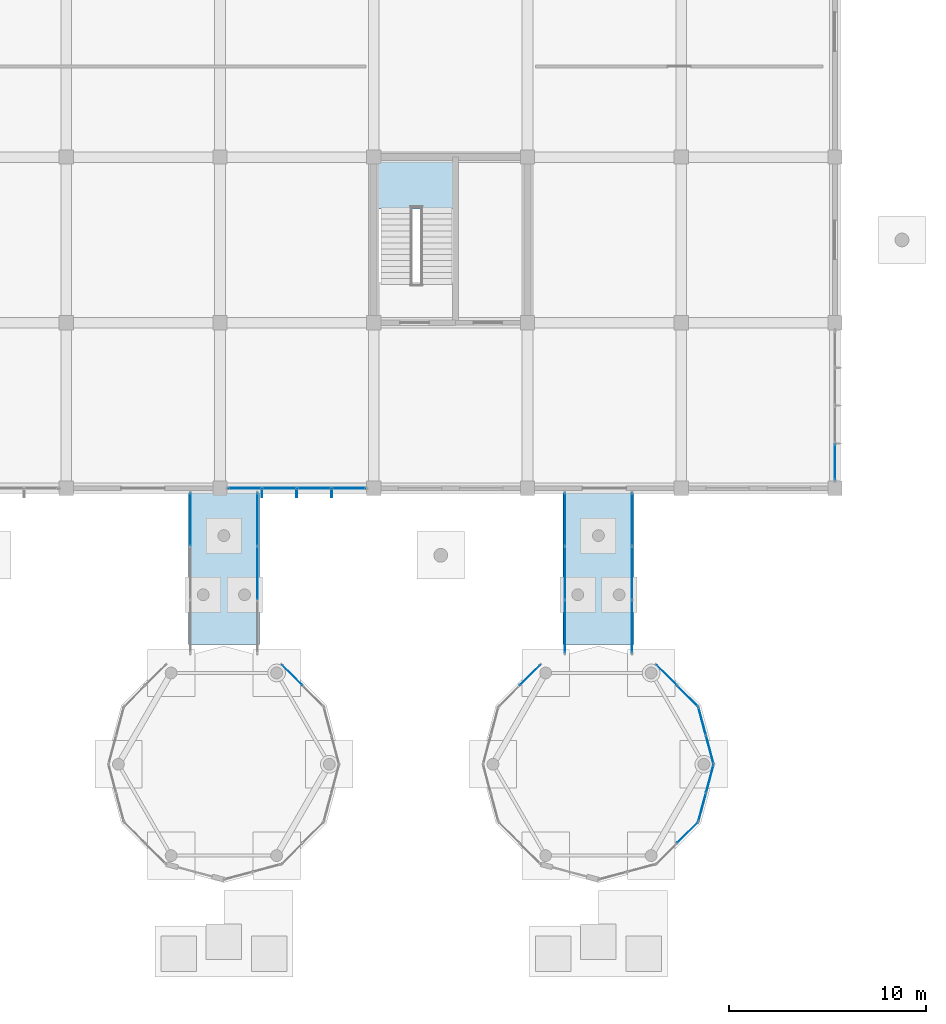
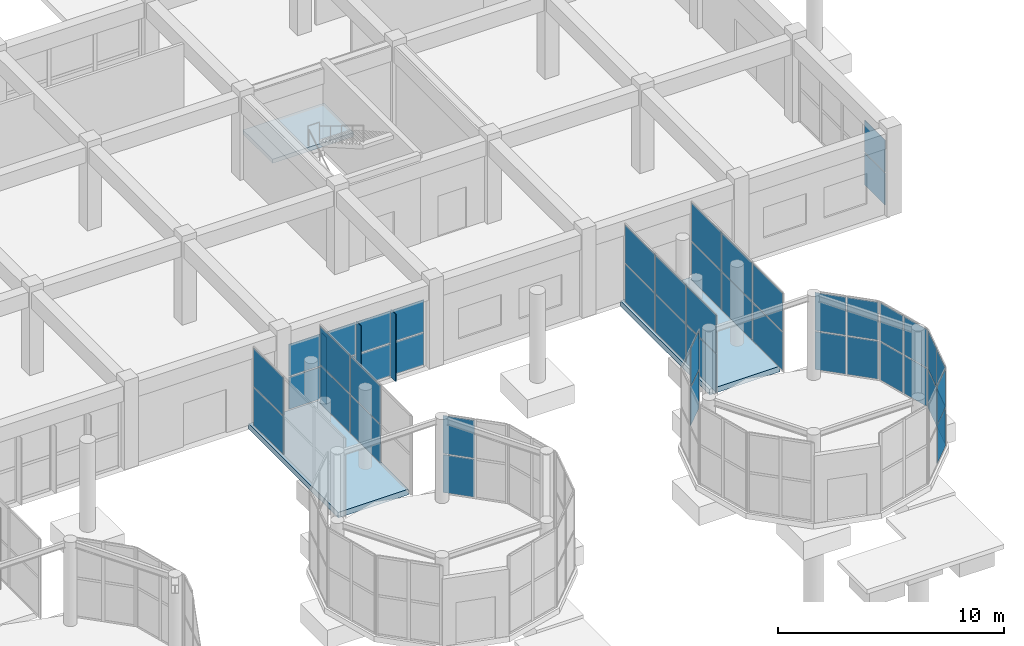
# One storey, part 113 of 139: 49 plates, 3 slabs, 13 elements without a shape of their own.
"""IFC4 building model written with IfcOpenShell, lengths in metres."""

import ifcopenshell
import ifcopenshell.guid

model = None  # the IFC model being written
_history = None  # IfcOwnerHistory: only IFC2X3 demands one
_inside = {}  # id of a spatial element -> (the spatial element, [elements in it])
_under = {}  # id of a project, library or spatial element -> (it, [spatial elements below it])
_declared = {}  # id of a project -> (the project, [libraries it declares])
_typed = {}  # id of a type object -> (the type object, [elements of that type])
_made_of = {}  # id of a material, layer set ... -> (it, [elements and type objects made of it])


def new_model(schema):
    """Start an empty IFC model of exactly this schema.

    Asked for "IFC4X3", IfcOpenShell would pick the latest addendum, in which some entities
    have other attributes; the version numbers below select the first issue.
    IFC2X3 requires an IfcOwnerHistory on every rooted entity: one is made here for all.
    """
    global model, _history
    if schema == "IFC4X3":
        model = ifcopenshell.file(schema_version=(4, 3, 0, 0))
    else:
        model = ifcopenshell.file(schema=schema)
    _inside.clear()
    _under.clear()
    _declared.clear()
    _typed.clear()
    _made_of.clear()
    _history = None
    if model.schema == "IFC2X3":
        org = make("IfcOrganization", Name="unknown")
        user = make(
            "IfcPersonAndOrganization",
            ThePerson=make("IfcPerson", FamilyName="unknown"),
            TheOrganization=org,
        )
        app = make(
            "IfcApplication",
            ApplicationDeveloper=org,
            Version="unknown",
            ApplicationFullName="unknown",
            ApplicationIdentifier="unknown",
        )
        _history = make(
            "IfcOwnerHistory",
            OwningUser=user,
            OwningApplication=app,
            ChangeAction="ADDED",
            CreationDate=0,
        )
    return model


def make(cls, **values):
    """One entity of the class cls with the attributes given. An attribute that is None is left unset."""
    return model.create_entity(
        cls, **{name: value for name, value in values.items() if value is not None}
    )


def rooted(cls, **values):
    """An entity with a GlobalId (a new one), such as an element, a storey or a relation."""
    return make(cls, GlobalId=ifcopenshell.guid.new(), OwnerHistory=_history, **values)


def si_unit(unit_type, name, prefix=None):
    """IfcSIUnit, for example si_unit("LENGTHUNIT", "METRE", prefix="MILLI")."""
    return make("IfcSIUnit", UnitType=unit_type, Prefix=prefix, Name=name)


def assignment(units):
    """IfcUnitAssignment: the units of a project."""
    return None if units is None else make("IfcUnitAssignment", Units=units)


def point(xyz):
    """IfcCartesianPoint."""
    return None if xyz is None else make("IfcCartesianPoint", Coordinates=xyz)


def direction(xyz):
    """IfcDirection."""
    return None if xyz is None else make("IfcDirection", DirectionRatios=xyz)


def frame(location, z_axis=None, x_axis=None):
    """IfcAxis2Placement3D, a coordinate frame: its origin and axes. An axis left out is left unset."""
    return make(
        "IfcAxis2Placement3D",
        Location=point(location),
        Axis=direction(z_axis),
        RefDirection=direction(x_axis),
    )


def frame_2d(location, x_axis=None):
    """IfcAxis2Placement2D, a coordinate frame in the plane: its origin and x axis."""
    return make(
        "IfcAxis2Placement2D", Location=point(location), RefDirection=direction(x_axis)
    )


def origin():
    """The frame at (0, 0, 0) with its axes left unset."""
    return frame((0.0, 0.0, 0.0))


def origin_2d():
    """The frame at (0, 0) in the plane with its x axis left unset."""
    return frame_2d((0.0, 0.0))


def place(relative_to, where):
    """IfcLocalPlacement: puts the frame where relative to a parent placement (None: the world)."""
    return make(
        "IfcLocalPlacement", PlacementRelTo=relative_to, RelativePlacement=where
    )


def context(
    kind, dimensions, precision=None, world=None, true_north=None, identifier=None
):
    """IfcGeometricRepresentationContext, for example the 3D "Model" context."""
    return make(
        "IfcGeometricRepresentationContext",
        ContextIdentifier=identifier,
        ContextType=kind,
        CoordinateSpaceDimension=dimensions,
        Precision=precision,
        WorldCoordinateSystem=world,
        TrueNorth=true_north,
    )


def subcontext(parent, identifier, kind, view, scale=None):
    """IfcGeometricRepresentationSubContext, for example "Body" below "Model"."""
    return make(
        "IfcGeometricRepresentationSubContext",
        ContextIdentifier=identifier,
        ContextType=kind,
        ParentContext=parent,
        TargetScale=scale,
        TargetView=view,
    )


def project(units=None, contexts=None):
    """IfcProject with its units and contexts."""
    return rooted(
        "IfcProject",
        Name="project",
        RepresentationContexts=contexts,
        UnitsInContext=assignment(units),
    )


def spatial(cls, under=None, at=None, **own):
    """A site, building, storey or space (cls), placed at a placement, below another one or the project."""
    s = rooted(cls, ObjectPlacement=at, **own)
    if under is not None:
        _under.setdefault(under.id(), (under, []))[1].append(s)
    return s


def polyline(points):
    """IfcPolyline through the points."""
    return make("IfcPolyline", Points=[point(p) for p in points])


def profile(cls, at=None, kind="AREA", **sizes):
    """A parametric profile (cls). Its sizes go by their IFC names, for example OverallWidth=200.0."""
    return make(cls, ProfileType=kind, Position=at, **sizes)


def rectangle(**sizes):
    """IfcRectangleProfileDef."""
    return profile("IfcRectangleProfileDef", **sizes)


def outline(outer, holes=None, kind="AREA"):
    """IfcArbitraryClosedProfileDef: a profile drawn as a closed curve; with holes, ...WithVoids."""
    if holes is None:
        return make("IfcArbitraryClosedProfileDef", ProfileType=kind, OuterCurve=outer)
    return make(
        "IfcArbitraryProfileDefWithVoids",
        ProfileType=kind,
        OuterCurve=outer,
        InnerCurves=holes,
    )


def extrude(swept, where, along, depth):
    """IfcExtrudedAreaSolid: the profile swept, set in the frame where, extruded along a direction by depth."""
    return make(
        "IfcExtrudedAreaSolid",
        SweptArea=swept,
        Position=where,
        ExtrudedDirection=direction(along),
        Depth=depth,
    )


def shape(context_of_items, identifier, shape_type, items):
    """IfcShapeRepresentation: the items that make up one representation, for example the "Body"."""
    return make(
        "IfcShapeRepresentation",
        ContextOfItems=context_of_items,
        RepresentationIdentifier=identifier,
        RepresentationType=shape_type,
        Items=items,
    )


def material(Name=None, Category=None):
    """IfcMaterial."""
    return make("IfcMaterial", Name=Name, Category=Category)


def layer(
    of_material, thickness, ventilated=None, Name=None, Category=None, Priority=None
):
    """IfcMaterialLayer: one layer of a wall or slab, of a material (None: an air gap)."""
    return make(
        "IfcMaterialLayer",
        Material=of_material,
        LayerThickness=thickness,
        IsVentilated=ventilated,
        Name=Name,
        Category=Category,
        Priority=Priority,
    )


def layer_set(layers, Name=None):
    """IfcMaterialLayerSet."""
    return make("IfcMaterialLayerSet", MaterialLayers=layers, LayerSetName=Name)


def made_of(thing, what):
    """Note that an element or type object is made of a material, layer set ...; save() writes the relation."""
    if what is not None:
        _made_of.setdefault(what.id(), (what, []))[1].append(thing)
    return thing


def type_object(cls, material=None, **own):
    """A type object (cls), such as IfcWallType, which elements share."""
    return made_of(rooted(cls, **own), material)


def element(
    cls,
    number,
    at=None,
    inside=None,
    cuts=None,
    type_object=None,
    material=None,
    context=None,
    identifier="Body",
    shape_type=None,
    held_by="IfcProductDefinitionShape",
    body=None,
    shapes=None,
    **own,
):
    """One element of the class cls, such as IfcWall. Its Tag is "e" and its number.

    at: its placement. inside: the storey or other place that contains it. cuts: it is an
    opening in that element (IfcRelVoidsElement). A single representation is given by context,
    identifier, shape_type and body (its items); several are given by shapes. held_by: the class
    of the entity that holds the representations. save() writes the other relations.
    """
    e = rooted(cls, Tag="e%d" % number, ObjectPlacement=at, **own)
    if body is not None:
        shapes = [shape(context, identifier, shape_type, body)]
    if shapes is not None:
        e.Representation = make(held_by, Representations=shapes)
    if inside is not None:
        _inside.setdefault(inside.id(), (inside, []))[1].append(e)
    if cuts is not None:
        rooted(
            "IfcRelVoidsElement", RelatingBuildingElement=cuts, RelatedOpeningElement=e
        )
    if type_object is not None:
        _typed.setdefault(type_object.id(), (type_object, []))[1].append(e)
    return made_of(e, material)


def aggregate(whole, parts):
    """IfcRelAggregates: a whole, such as a stair, and the parts it consists of."""
    return rooted("IfcRelAggregates", RelatingObject=whole, RelatedObjects=parts)


def save(model, path):
    """Write the relations noted so far, then the file.

    IfcRelAggregates (storeys below a building ...), IfcRelContainedInSpatialStructure (elements
    in a storey), IfcRelDefinesByType, IfcRelAssociatesMaterial and IfcRelDeclares: one each for
    every whole, place, type object, material and project.
    """
    for whole, parts in _under.values():
        aggregate(whole, parts)
    for where, things in _inside.values():
        rooted(
            "IfcRelContainedInSpatialStructure",
            RelatedElements=things,
            RelatingStructure=where,
        )
    for kind, things in _typed.values():
        rooted("IfcRelDefinesByType", RelatedObjects=things, RelatingType=kind)
    for what, things in _made_of.values():
        rooted("IfcRelAssociatesMaterial", RelatedObjects=things, RelatingMaterial=what)
    for by, libraries in _declared.values():
        rooted("IfcRelDeclares", RelatingContext=by, RelatedDefinitions=libraries)
    model.write(path)


model = new_model("IFC4")

# Units and contexts
model_context = context("Model", 3, precision=1e-05, world=origin(), true_north=direction((0.0, 1.0)))
body_context = subcontext(model_context, "Body", "Model", "MODEL_VIEW")
ifc_project = project(units=[si_unit("LENGTHUNIT", "METRE"), si_unit("AREAUNIT", "SQUARE_METRE"), si_unit("VOLUMEUNIT", "CUBIC_METRE"), si_unit("PLANEANGLEUNIT", "RADIAN"), si_unit("MASSUNIT", "GRAM", prefix="KILO")], contexts=[model_context])

# Site, building, storey
site_placement = place(None, origin())
site = spatial("IfcSite", under=ifc_project, at=site_placement, CompositionType="ELEMENT")
building_placement = place(site_placement, origin())
building = spatial("IfcBuilding", under=site, at=building_placement, Name="Zizhar Promenade General Hospital", CompositionType="ELEMENT")
storey_placement = place(building_placement, origin())
storey = spatial("IfcBuildingStorey", under=building, at=storey_placement, Name="L00", CompositionType="ELEMENT", Elevation=0.0)

# Curtain wall, plates
ifc_material_1 = material(Name="Anodised aluminium 6063-T6 and low-E glass", Category="aluminium")
ifc_layer_1 = layer(ifc_material_1, 0.159912109375)
ifc_layer_set_1 = layer_set([ifc_layer_1], Name="Anodised aluminium 6063-T6 and low-E glass")
curtain_wall_type_1 = type_object("IfcCurtainWallType", Name="CW-CLN-EXT", PredefinedType="NOTDEFINED", material=ifc_layer_set_1)
curtain_wall_1_placement = place(storey_placement, origin())
curtain_wall_1 = element("IfcCurtainWall", 1, at=curtain_wall_1_placement, inside=storey, type_object=curtain_wall_type_1, Name="Outpatient East Curtain Wall L00-5", PredefinedType="NOTDEFINED")
ifc_material_2 = material(Name="Low-E solar-control glass", Category="glass")
ifc_layer_2 = layer(ifc_material_2, 0.031982421875)
ifc_layer_set_2 = layer_set([ifc_layer_2], Name="Low-E solar-control glass")
plate_type_1 = type_object("IfcPlateType", Name="CWP-GLZ-32", PredefinedType="CURTAIN_PANEL", material=ifc_layer_set_2)
plate_1_placement = place(storey_placement, frame((195.0, 43.340087890625, 0.06005859375), z_axis=(0.0, 0.0, 1.0), x_axis=(0.0, -1.0, 0.0)))
plate_1 = element("IfcPlate", 2, at=plate_1_placement, type_object=plate_type_1, Name="CW-09 panel 4.1", PredefinedType="CURTAIN_PANEL", context=body_context, shape_type="SweptSolid", body=[
    extrude(rectangle(XDim=1.800048828125, YDim=0.031982421875, at=origin_2d()), origin(), (0.0, 0.0, 1.0), 1.72509765625),
])
plate_2_placement = place(storey_placement, frame((195.0, 43.340087890625, 1.844970703125), z_axis=(0.0, 0.0, 1.0), x_axis=(0.0, -1.0, 0.0)))
plate_2 = element("IfcPlate", 3, at=plate_2_placement, type_object=plate_type_1, Name="CW-09 panel 4.2", PredefinedType="CURTAIN_PANEL", context=body_context, shape_type="SweptSolid", body=[
    extrude(rectangle(XDim=1.800048828125, YDim=0.031982421875, at=origin_2d()), origin(), (0.0, 0.0, 1.0), 1.72509765625),
])
aggregate(curtain_wall_1, [plate_1, plate_2])

curtain_wall_2_placement = place(storey_placement, origin())
curtain_wall_2 = element("IfcCurtainWall", 4, at=curtain_wall_2_placement, inside=storey, type_object=curtain_wall_type_1, Name="Outpatient Forecourt Curtain Wall L00-21", PredefinedType="NOTDEFINED")
plate_3_placement = place(storey_placement, frame((170.3349609375, 42.0, 0.06005859375), z_axis=(0.0, 0.0, 1.0), x_axis=(-1.0, 0.0, 0.0)))
plate_3 = element("IfcPlate", 5, at=plate_3_placement, type_object=plate_type_1, Name="CW-09 panel 1.1", PredefinedType="CURTAIN_PANEL", context=body_context, shape_type="SweptSolid", body=[
    extrude(rectangle(XDim=1.64990234375, YDim=0.031982421875, at=origin_2d()), origin(), (0.0, 0.0, 1.0), 1.72509765625),
])
plate_4_placement = place(storey_placement, frame((170.3349609375, 42.0, 1.844970703125), z_axis=(0.0, 0.0, 1.0), x_axis=(-1.0, 0.0, 0.0)))
plate_4 = element("IfcPlate", 6, at=plate_4_placement, type_object=plate_type_1, Name="CW-09 panel 1.2", PredefinedType="CURTAIN_PANEL", context=body_context, shape_type="SweptSolid", body=[
    extrude(rectangle(XDim=1.64990234375, YDim=0.031982421875, at=origin_2d()), origin(), (0.0, 0.0, 1.0), 1.72509765625),
])
plate_5_placement = place(storey_placement, frame((168.5849609375, 42.0, 0.06005859375), z_axis=(0.0, 0.0, 1.0), x_axis=(-1.0, 0.0, 0.0)))
plate_5 = element("IfcPlate", 7, at=plate_5_placement, type_object=plate_type_1, Name="CW-09 panel 2.1", PredefinedType="CURTAIN_PANEL", context=body_context, shape_type="SweptSolid", body=[
    extrude(rectangle(XDim=1.68994140625, YDim=0.031982421875, at=origin_2d()), origin(), (0.0, 0.0, 1.0), 1.72509765625),
])
plate_6_placement = place(storey_placement, frame((168.5849609375, 42.0, 1.844970703125), z_axis=(0.0, 0.0, 1.0), x_axis=(-1.0, 0.0, 0.0)))
plate_6 = element("IfcPlate", 8, at=plate_6_placement, type_object=plate_type_1, Name="CW-09 panel 2.2", PredefinedType="CURTAIN_PANEL", context=body_context, shape_type="SweptSolid", body=[
    extrude(rectangle(XDim=1.68994140625, YDim=0.031982421875, at=origin_2d()), origin(), (0.0, 0.0, 1.0), 1.72509765625),
])
plate_7_placement = place(storey_placement, frame((166.81494140625, 42.0, 0.06005859375), z_axis=(0.0, 0.0, 1.0), x_axis=(-1.0, 0.0, 0.0)))
plate_7 = element("IfcPlate", 9, at=plate_7_placement, type_object=plate_type_1, Name="CW-09 panel 3.1", PredefinedType="CURTAIN_PANEL", context=body_context, shape_type="SweptSolid", body=[
    extrude(rectangle(XDim=1.68994140625, YDim=0.031982421875, at=origin_2d()), origin(), (0.0, 0.0, 1.0), 1.72509765625),
])
plate_8_placement = place(storey_placement, frame((166.81494140625, 42.0, 1.844970703125), z_axis=(0.0, 0.0, 1.0), x_axis=(-1.0, 0.0, 0.0)))
plate_8 = element("IfcPlate", 10, at=plate_8_placement, type_object=plate_type_1, Name="CW-09 panel 3.2", PredefinedType="CURTAIN_PANEL", context=body_context, shape_type="SweptSolid", body=[
    extrude(rectangle(XDim=1.68994140625, YDim=0.031982421875, at=origin_2d()), origin(), (0.0, 0.0, 1.0), 1.72509765625),
])
plate_9_placement = place(storey_placement, frame((165.06494140625, 42.0, 0.06005859375), z_axis=(0.0, 0.0, 1.0), x_axis=(-1.0, 0.0, 0.0)))
plate_9 = element("IfcPlate", 11, at=plate_9_placement, type_object=plate_type_1, Name="CW-09 panel 4.1", PredefinedType="CURTAIN_PANEL", context=body_context, shape_type="SweptSolid", body=[
    extrude(rectangle(XDim=1.64990234375, YDim=0.031982421875, at=origin_2d()), origin(), (0.0, 0.0, 1.0), 1.72509765625),
])
plate_10_placement = place(storey_placement, frame((165.06494140625, 42.0, 1.844970703125), z_axis=(0.0, 0.0, 1.0), x_axis=(-1.0, 0.0, 0.0)))
plate_10 = element("IfcPlate", 12, at=plate_10_placement, type_object=plate_type_1, Name="CW-09 panel 4.2", PredefinedType="CURTAIN_PANEL", context=body_context, shape_type="SweptSolid", body=[
    extrude(rectangle(XDim=1.64990234375, YDim=0.031982421875, at=origin_2d()), origin(), (0.0, 0.0, 1.0), 1.72509765625),
])
aggregate(curtain_wall_2, [plate_3, plate_4, plate_5, plate_6, plate_7, plate_8, plate_9, plate_10])

ifc_material_3 = material(Name="Anodised aluminium 6063-T6 and low-E glass", Category="aluminium")
ifc_layer_3 = layer(ifc_material_3, 0.159912109375)
ifc_layer_set_3 = layer_set([ifc_layer_3], Name="Anodised aluminium 6063-T6 and low-E glass")
curtain_wall_type_2 = type_object("IfcCurtainWallType", Name="CW-PAV-GLZ", PredefinedType="NOTDEFINED", material=ifc_layer_set_3)
curtain_wall_3_placement = place(storey_placement, origin())
curtain_wall_3 = element("IfcCurtainWall", 13, at=curtain_wall_3_placement, inside=storey, type_object=curtain_wall_type_2, Name="Pharmacy Collection Pavilion Curved Glazing 2", PredefinedType="NOTDEFINED")
plate_11_placement = place(storey_placement, frame((167.470947265625, 32.520263671875, 0.06005859375), z_axis=(0.0, 0.0, 1.0), x_axis=(0.707106781187, -0.707106781187, 0.0)))
plate_11 = element("IfcPlate", 14, at=plate_11_placement, type_object=plate_type_1, Name="CW-14 panel 1.1", PredefinedType="CURTAIN_PANEL", context=body_context, shape_type="SweptSolid", body=[
    extrude(rectangle(XDim=1.424072265625, YDim=0.031982421875, at=origin_2d()), origin(), (0.0, 0.0, 1.0), 2.050048828125),
])
plate_12_placement = place(storey_placement, frame((167.470947265625, 32.520263671875, 2.169921875), z_axis=(0.0, 0.0, 1.0), x_axis=(0.707106781187, -0.707106781187, 0.0)))
plate_12 = element("IfcPlate", 15, at=plate_12_placement, type_object=plate_type_1, Name="CW-14 panel 1.2", PredefinedType="CURTAIN_PANEL", context=body_context, shape_type="SweptSolid", body=[
    extrude(rectangle(XDim=1.424072265625, YDim=0.031982421875, at=origin_2d()), origin(), (0.0, 0.0, 1.0), 2.050048828125),
])
aggregate(curtain_wall_3, [plate_11, plate_12])

curtain_wall_4_placement = place(storey_placement, origin())
curtain_wall_4 = element("IfcCurtainWall", 16, at=curtain_wall_4_placement, inside=storey, type_object=curtain_wall_type_2, Name="Pharmacy Collection Pavilion Link West Glazing", PredefinedType="NOTDEFINED")
plate_13_placement = place(storey_placement, frame((162.300048828125, 40.418212890625, 0.06005859375), z_axis=(0.0, 0.0, 1.0), x_axis=(0.0, 1.0, 0.0)))
plate_13 = element("IfcPlate", 17, at=plate_13_placement, type_object=plate_type_1, Name="CW-14 panel 3.1", PredefinedType="CURTAIN_PANEL", context=body_context, shape_type="SweptSolid", body=[
    extrude(rectangle(XDim=2.643310546875, YDim=0.031982421875, at=origin_2d()), origin(), (0.0, 0.0, 1.0), 2.050048828125),
])
plate_14_placement = place(storey_placement, frame((162.300048828125, 40.418212890625, 2.169921875), z_axis=(0.0, 0.0, 1.0), x_axis=(0.0, 1.0, 0.0)))
plate_14 = element("IfcPlate", 18, at=plate_14_placement, type_object=plate_type_1, Name="CW-14 panel 3.2", PredefinedType="CURTAIN_PANEL", context=body_context, shape_type="SweptSolid", body=[
    extrude(rectangle(XDim=2.643310546875, YDim=0.031982421875, at=origin_2d()), origin(), (0.0, 0.0, 1.0), 2.050048828125),
])
aggregate(curtain_wall_4, [plate_13, plate_14])

curtain_wall_5_placement = place(storey_placement, origin())
curtain_wall_5 = element("IfcCurtainWall", 19, at=curtain_wall_5_placement, inside=storey, type_object=curtain_wall_type_2, Name="Pharmacy Collection Pavilion Link East Glazing", PredefinedType="NOTDEFINED")
plate_15_placement = place(storey_placement, frame((165.699951171875, 40.418212890625, 0.06005859375), z_axis=(0.0, 0.0, 1.0), x_axis=(0.0, -1.0, 0.0)))
plate_15 = element("IfcPlate", 20, at=plate_15_placement, type_object=plate_type_1, Name="CW-14 panel 1.1", PredefinedType="CURTAIN_PANEL", context=body_context, shape_type="SweptSolid", body=[
    extrude(rectangle(XDim=2.643310546875, YDim=0.031982421875, at=origin_2d()), origin(), (0.0, 0.0, 1.0), 2.050048828125),
])
plate_16_placement = place(storey_placement, frame((165.699951171875, 40.418212890625, 2.169921875), z_axis=(0.0, 0.0, 1.0), x_axis=(0.0, -1.0, 0.0)))
plate_16 = element("IfcPlate", 21, at=plate_16_placement, type_object=plate_type_1, Name="CW-14 panel 1.2", PredefinedType="CURTAIN_PANEL", context=body_context, shape_type="SweptSolid", body=[
    extrude(rectangle(XDim=2.643310546875, YDim=0.031982421875, at=origin_2d()), origin(), (0.0, 0.0, 1.0), 2.050048828125),
])
plate_17_placement = place(storey_placement, frame((165.699951171875, 37.699951171875, 0.06005859375), z_axis=(0.0, 0.0, 1.0), x_axis=(0.0, -1.0, 0.0)))
plate_17 = element("IfcPlate", 22, at=plate_17_placement, type_object=plate_type_1, Name="CW-14 panel 2.1", PredefinedType="CURTAIN_PANEL", context=body_context, shape_type="SweptSolid", body=[
    extrude(rectangle(XDim=2.67333984375, YDim=0.031982421875, at=origin_2d()), origin(), (0.0, 0.0, 1.0), 2.050048828125),
])
plate_18_placement = place(storey_placement, frame((165.699951171875, 37.699951171875, 2.169921875), z_axis=(0.0, 0.0, 1.0), x_axis=(0.0, -1.0, 0.0)))
plate_18 = element("IfcPlate", 23, at=plate_18_placement, type_object=plate_type_1, Name="CW-14 panel 2.2", PredefinedType="CURTAIN_PANEL", context=body_context, shape_type="SweptSolid", body=[
    extrude(rectangle(XDim=2.67333984375, YDim=0.031982421875, at=origin_2d()), origin(), (0.0, 0.0, 1.0), 2.050048828125),
])
aggregate(curtain_wall_5, [plate_15, plate_16, plate_17, plate_18])

curtain_wall_6_placement = place(storey_placement, origin())
curtain_wall_6 = element("IfcCurtainWall", 24, at=curtain_wall_6_placement, inside=storey, type_object=curtain_wall_type_2, Name="Community Health Information Pavilion Curved Glazing 1", PredefinedType="NOTDEFINED")
plate_19_placement = place(storey_placement, frame((188.26611328125, 30.17919921875, 0.06005859375), z_axis=(0.0, 0.0, 1.0), x_axis=(0.25883402288, -0.965921812881, 0.0)))
plate_19 = element("IfcPlate", 25, at=plate_19_placement, type_object=plate_type_1, Name="CW-14 panel 1.1", PredefinedType="CURTAIN_PANEL", context=body_context, shape_type="SweptSolid", body=[
    extrude(rectangle(XDim=1.424072265625, YDim=0.031982421875, at=origin_2d()), origin(), (0.0, 0.0, 1.0), 2.050048828125),
])
plate_20_placement = place(storey_placement, frame((188.26611328125, 30.17919921875, 2.169921875), z_axis=(0.0, 0.0, 1.0), x_axis=(0.25883402288, -0.965921812881, 0.0)))
plate_20 = element("IfcPlate", 26, at=plate_20_placement, type_object=plate_type_1, Name="CW-14 panel 1.2", PredefinedType="CURTAIN_PANEL", context=body_context, shape_type="SweptSolid", body=[
    extrude(rectangle(XDim=1.424072265625, YDim=0.031982421875, at=origin_2d()), origin(), (0.0, 0.0, 1.0), 2.050048828125),
])
plate_21_placement = place(storey_placement, frame((188.650146484375, 28.745849609375, 0.06005859375), z_axis=(0.0, 0.0, 1.0), x_axis=(0.25883402288, -0.965921812881, 0.0)))
plate_21 = element("IfcPlate", 27, at=plate_21_placement, type_object=plate_type_1, Name="CW-14 panel 2.1", PredefinedType="CURTAIN_PANEL", context=body_context, shape_type="SweptSolid", body=[
    extrude(rectangle(XDim=1.424072265625, YDim=0.031982421875, at=origin_2d()), origin(), (0.0, 0.0, 1.0), 2.050048828125),
])
plate_22_placement = place(storey_placement, frame((188.650146484375, 28.745849609375, 2.169921875), z_axis=(0.0, 0.0, 1.0), x_axis=(0.25883402288, -0.965921812881, 0.0)))
plate_22 = element("IfcPlate", 28, at=plate_22_placement, type_object=plate_type_1, Name="CW-14 panel 2.2", PredefinedType="CURTAIN_PANEL", context=body_context, shape_type="SweptSolid", body=[
    extrude(rectangle(XDim=1.424072265625, YDim=0.031982421875, at=origin_2d()), origin(), (0.0, 0.0, 1.0), 2.050048828125),
])
aggregate(curtain_wall_6, [plate_19, plate_20, plate_21, plate_22])

curtain_wall_7_placement = place(storey_placement, origin())
curtain_wall_7 = element("IfcCurtainWall", 29, at=curtain_wall_7_placement, inside=storey, type_object=curtain_wall_type_2, Name="Community Health Information Pavilion Curved Glazing 2", PredefinedType="NOTDEFINED")
plate_23_placement = place(storey_placement, frame((186.470947265625, 32.520263671875, 0.06005859375), z_axis=(0.0, 0.0, 1.0), x_axis=(0.707106781187, -0.707106781187, 0.0)))
plate_23 = element("IfcPlate", 30, at=plate_23_placement, type_object=plate_type_1, Name="CW-14 panel 1.1", PredefinedType="CURTAIN_PANEL", context=body_context, shape_type="SweptSolid", body=[
    extrude(rectangle(XDim=1.424072265625, YDim=0.031982421875, at=origin_2d()), origin(), (0.0, 0.0, 1.0), 2.050048828125),
])
plate_24_placement = place(storey_placement, frame((186.470947265625, 32.520263671875, 2.169921875), z_axis=(0.0, 0.0, 1.0), x_axis=(0.707106781187, -0.707106781187, 0.0)))
plate_24 = element("IfcPlate", 31, at=plate_24_placement, type_object=plate_type_1, Name="CW-14 panel 1.2", PredefinedType="CURTAIN_PANEL", context=body_context, shape_type="SweptSolid", body=[
    extrude(rectangle(XDim=1.424072265625, YDim=0.031982421875, at=origin_2d()), origin(), (0.0, 0.0, 1.0), 2.050048828125),
])
plate_25_placement = place(storey_placement, frame((187.520263671875, 31.470947265625, 0.06005859375), z_axis=(0.0, 0.0, 1.0), x_axis=(0.707106781187, -0.707106781187, 0.0)))
plate_25 = element("IfcPlate", 32, at=plate_25_placement, type_object=plate_type_1, Name="CW-14 panel 2.1", PredefinedType="CURTAIN_PANEL", context=body_context, shape_type="SweptSolid", body=[
    extrude(rectangle(XDim=1.424072265625, YDim=0.031982421875, at=origin_2d()), origin(), (0.0, 0.0, 1.0), 2.050048828125),
])
plate_26_placement = place(storey_placement, frame((187.520263671875, 31.470947265625, 2.169921875), z_axis=(0.0, 0.0, 1.0), x_axis=(0.707106781187, -0.707106781187, 0.0)))
plate_26 = element("IfcPlate", 33, at=plate_26_placement, type_object=plate_type_1, Name="CW-14 panel 2.2", PredefinedType="CURTAIN_PANEL", context=body_context, shape_type="SweptSolid", body=[
    extrude(rectangle(XDim=1.424072265625, YDim=0.031982421875, at=origin_2d()), origin(), (0.0, 0.0, 1.0), 2.050048828125),
])
aggregate(curtain_wall_7, [plate_23, plate_24, plate_25, plate_26])

curtain_wall_8_placement = place(storey_placement, origin())
curtain_wall_8 = element("IfcCurtainWall", 34, at=curtain_wall_8_placement, inside=storey, type_object=curtain_wall_type_2, Name="Community Health Information Pavilion Curved Glazing 5", PredefinedType="NOTDEFINED")
plate_27_placement = place(storey_placement, frame((179.529052734375, 32.520263671875, 0.06005859375), z_axis=(0.0, 0.0, 1.0), x_axis=(0.707106781187, 0.707106781187, 0.0)))
plate_27 = element("IfcPlate", 35, at=plate_27_placement, type_object=plate_type_1, Name="CW-14 panel 2.1", PredefinedType="CURTAIN_PANEL", context=body_context, shape_type="SweptSolid", body=[
    extrude(rectangle(XDim=1.424072265625, YDim=0.031982421875, at=origin_2d()), origin(), (0.0, 0.0, 1.0), 2.050048828125),
])
plate_28_placement = place(storey_placement, frame((179.529052734375, 32.520263671875, 2.169921875), z_axis=(0.0, 0.0, 1.0), x_axis=(0.707106781187, 0.707106781187, 0.0)))
plate_28 = element("IfcPlate", 36, at=plate_28_placement, type_object=plate_type_1, Name="CW-14 panel 2.2", PredefinedType="CURTAIN_PANEL", context=body_context, shape_type="SweptSolid", body=[
    extrude(rectangle(XDim=1.424072265625, YDim=0.031982421875, at=origin_2d()), origin(), (0.0, 0.0, 1.0), 2.050048828125),
])
aggregate(curtain_wall_8, [plate_27, plate_28])

curtain_wall_9_placement = place(storey_placement, origin())
curtain_wall_9 = element("IfcCurtainWall", 37, at=curtain_wall_9_placement, inside=storey, type_object=curtain_wall_type_2, Name="Community Health Information Pavilion Curved Glazing 11", PredefinedType="NOTDEFINED")
plate_29_placement = place(storey_placement, frame((187.520263671875, 24.529052734375, 0.06005859375), z_axis=(0.0, 0.0, 1.0), x_axis=(-0.707106781187, -0.707106781187, 0.0)))
plate_29 = element("IfcPlate", 38, at=plate_29_placement, type_object=plate_type_1, Name="CW-14 panel 1.1", PredefinedType="CURTAIN_PANEL", context=body_context, shape_type="SweptSolid", body=[
    extrude(rectangle(XDim=1.424072265625, YDim=0.031982421875, at=origin_2d()), origin(), (0.0, 0.0, 1.0), 2.050048828125),
])
plate_30_placement = place(storey_placement, frame((187.520263671875, 24.529052734375, 2.169921875), z_axis=(0.0, 0.0, 1.0), x_axis=(-0.707106781187, -0.707106781187, 0.0)))
plate_30 = element("IfcPlate", 39, at=plate_30_placement, type_object=plate_type_1, Name="CW-14 panel 1.2", PredefinedType="CURTAIN_PANEL", context=body_context, shape_type="SweptSolid", body=[
    extrude(rectangle(XDim=1.424072265625, YDim=0.031982421875, at=origin_2d()), origin(), (0.0, 0.0, 1.0), 2.050048828125),
])
aggregate(curtain_wall_9, [plate_29, plate_30])

curtain_wall_10_placement = place(storey_placement, origin())
curtain_wall_10 = element("IfcCurtainWall", 40, at=curtain_wall_10_placement, inside=storey, type_object=curtain_wall_type_2, Name="Community Health Information Pavilion Curved Glazing 12", PredefinedType="NOTDEFINED")
plate_31_placement = place(storey_placement, frame((188.650146484375, 27.254150390625, 0.06005859375), z_axis=(0.0, 0.0, 1.0), x_axis=(-0.25883402288, -0.965921812881, 0.0)))
plate_31 = element("IfcPlate", 41, at=plate_31_placement, type_object=plate_type_1, Name="CW-14 panel 1.1", PredefinedType="CURTAIN_PANEL", context=body_context, shape_type="SweptSolid", body=[
    extrude(rectangle(XDim=1.424072265625, YDim=0.031982421875, at=origin_2d()), origin(), (0.0, 0.0, 1.0), 2.050048828125),
])
plate_32_placement = place(storey_placement, frame((188.650146484375, 27.254150390625, 2.169921875), z_axis=(0.0, 0.0, 1.0), x_axis=(-0.25883402288, -0.965921812881, 0.0)))
plate_32 = element("IfcPlate", 42, at=plate_32_placement, type_object=plate_type_1, Name="CW-14 panel 1.2", PredefinedType="CURTAIN_PANEL", context=body_context, shape_type="SweptSolid", body=[
    extrude(rectangle(XDim=1.424072265625, YDim=0.031982421875, at=origin_2d()), origin(), (0.0, 0.0, 1.0), 2.050048828125),
])
plate_33_placement = place(storey_placement, frame((188.26611328125, 25.82080078125, 0.06005859375), z_axis=(0.0, 0.0, 1.0), x_axis=(-0.25883402288, -0.965921812881, 0.0)))
plate_33 = element("IfcPlate", 43, at=plate_33_placement, type_object=plate_type_1, Name="CW-14 panel 2.1", PredefinedType="CURTAIN_PANEL", context=body_context, shape_type="SweptSolid", body=[
    extrude(rectangle(XDim=1.424072265625, YDim=0.031982421875, at=origin_2d()), origin(), (0.0, 0.0, 1.0), 2.050048828125),
])
plate_34_placement = place(storey_placement, frame((188.26611328125, 25.82080078125, 2.169921875), z_axis=(0.0, 0.0, 1.0), x_axis=(-0.25883402288, -0.965921812881, 0.0)))
plate_34 = element("IfcPlate", 44, at=plate_34_placement, type_object=plate_type_1, Name="CW-14 panel 2.2", PredefinedType="CURTAIN_PANEL", context=body_context, shape_type="SweptSolid", body=[
    extrude(rectangle(XDim=1.424072265625, YDim=0.031982421875, at=origin_2d()), origin(), (0.0, 0.0, 1.0), 2.050048828125),
])
aggregate(curtain_wall_10, [plate_31, plate_32, plate_33, plate_34])

curtain_wall_11_placement = place(storey_placement, origin())
curtain_wall_11 = element("IfcCurtainWall", 45, at=curtain_wall_11_placement, inside=storey, type_object=curtain_wall_type_2, Name="Community Health Information Pavilion Link West Glazing", PredefinedType="NOTDEFINED")
plate_35_placement = place(storey_placement, frame((181.300048828125, 34.981689453125, 0.06005859375), z_axis=(0.0, 0.0, 1.0), x_axis=(0.0, 1.0, 0.0)))
plate_35 = element("IfcPlate", 46, at=plate_35_placement, type_object=plate_type_1, Name="CW-14 panel 1.1", PredefinedType="CURTAIN_PANEL", context=body_context, shape_type="SweptSolid", body=[
    extrude(rectangle(XDim=2.643310546875, YDim=0.031982421875, at=origin_2d()), origin(), (0.0, 0.0, 1.0), 2.050048828125),
])
plate_36_placement = place(storey_placement, frame((181.300048828125, 34.981689453125, 2.169921875), z_axis=(0.0, 0.0, 1.0), x_axis=(0.0, 1.0, 0.0)))
plate_36 = element("IfcPlate", 47, at=plate_36_placement, type_object=plate_type_1, Name="CW-14 panel 1.2", PredefinedType="CURTAIN_PANEL", context=body_context, shape_type="SweptSolid", body=[
    extrude(rectangle(XDim=2.643310546875, YDim=0.031982421875, at=origin_2d()), origin(), (0.0, 0.0, 1.0), 2.050048828125),
])
plate_37_placement = place(storey_placement, frame((181.300048828125, 37.699951171875, 0.06005859375), z_axis=(0.0, 0.0, 1.0), x_axis=(0.0, 1.0, 0.0)))
plate_37 = element("IfcPlate", 48, at=plate_37_placement, type_object=plate_type_1, Name="CW-14 panel 2.1", PredefinedType="CURTAIN_PANEL", context=body_context, shape_type="SweptSolid", body=[
    extrude(rectangle(XDim=2.67333984375, YDim=0.031982421875, at=origin_2d()), origin(), (0.0, 0.0, 1.0), 2.050048828125),
])
plate_38_placement = place(storey_placement, frame((181.300048828125, 37.699951171875, 2.169921875), z_axis=(0.0, 0.0, 1.0), x_axis=(0.0, 1.0, 0.0)))
plate_38 = element("IfcPlate", 49, at=plate_38_placement, type_object=plate_type_1, Name="CW-14 panel 2.2", PredefinedType="CURTAIN_PANEL", context=body_context, shape_type="SweptSolid", body=[
    extrude(rectangle(XDim=2.67333984375, YDim=0.031982421875, at=origin_2d()), origin(), (0.0, 0.0, 1.0), 2.050048828125),
])
plate_39_placement = place(storey_placement, frame((181.300048828125, 40.418212890625, 0.06005859375), z_axis=(0.0, 0.0, 1.0), x_axis=(0.0, 1.0, 0.0)))
plate_39 = element("IfcPlate", 50, at=plate_39_placement, type_object=plate_type_1, Name="CW-14 panel 3.1", PredefinedType="CURTAIN_PANEL", context=body_context, shape_type="SweptSolid", body=[
    extrude(rectangle(XDim=2.643310546875, YDim=0.031982421875, at=origin_2d()), origin(), (0.0, 0.0, 1.0), 2.050048828125),
])
plate_40_placement = place(storey_placement, frame((181.300048828125, 40.418212890625, 2.169921875), z_axis=(0.0, 0.0, 1.0), x_axis=(0.0, 1.0, 0.0)))
plate_40 = element("IfcPlate", 51, at=plate_40_placement, type_object=plate_type_1, Name="CW-14 panel 3.2", PredefinedType="CURTAIN_PANEL", context=body_context, shape_type="SweptSolid", body=[
    extrude(rectangle(XDim=2.643310546875, YDim=0.031982421875, at=origin_2d()), origin(), (0.0, 0.0, 1.0), 2.050048828125),
])
aggregate(curtain_wall_11, [plate_35, plate_36, plate_37, plate_38, plate_39, plate_40])

curtain_wall_12_placement = place(storey_placement, origin())
curtain_wall_12 = element("IfcCurtainWall", 52, at=curtain_wall_12_placement, inside=storey, type_object=curtain_wall_type_2, Name="Community Health Information Pavilion Link East Glazing", PredefinedType="NOTDEFINED")
plate_41_placement = place(storey_placement, frame((184.699951171875, 40.418212890625, 0.06005859375), z_axis=(0.0, 0.0, 1.0), x_axis=(0.0, -1.0, 0.0)))
plate_41 = element("IfcPlate", 53, at=plate_41_placement, type_object=plate_type_1, Name="CW-14 panel 1.1", PredefinedType="CURTAIN_PANEL", context=body_context, shape_type="SweptSolid", body=[
    extrude(rectangle(XDim=2.643310546875, YDim=0.031982421875, at=origin_2d()), origin(), (0.0, 0.0, 1.0), 2.050048828125),
])
plate_42_placement = place(storey_placement, frame((184.699951171875, 40.418212890625, 2.169921875), z_axis=(0.0, 0.0, 1.0), x_axis=(0.0, -1.0, 0.0)))
plate_42 = element("IfcPlate", 54, at=plate_42_placement, type_object=plate_type_1, Name="CW-14 panel 1.2", PredefinedType="CURTAIN_PANEL", context=body_context, shape_type="SweptSolid", body=[
    extrude(rectangle(XDim=2.643310546875, YDim=0.031982421875, at=origin_2d()), origin(), (0.0, 0.0, 1.0), 2.050048828125),
])
plate_43_placement = place(storey_placement, frame((184.699951171875, 37.699951171875, 0.06005859375), z_axis=(0.0, 0.0, 1.0), x_axis=(0.0, -1.0, 0.0)))
plate_43 = element("IfcPlate", 55, at=plate_43_placement, type_object=plate_type_1, Name="CW-14 panel 2.1", PredefinedType="CURTAIN_PANEL", context=body_context, shape_type="SweptSolid", body=[
    extrude(rectangle(XDim=2.67333984375, YDim=0.031982421875, at=origin_2d()), origin(), (0.0, 0.0, 1.0), 2.050048828125),
])
plate_44_placement = place(storey_placement, frame((184.699951171875, 37.699951171875, 2.169921875), z_axis=(0.0, 0.0, 1.0), x_axis=(0.0, -1.0, 0.0)))
plate_44 = element("IfcPlate", 56, at=plate_44_placement, type_object=plate_type_1, Name="CW-14 panel 2.2", PredefinedType="CURTAIN_PANEL", context=body_context, shape_type="SweptSolid", body=[
    extrude(rectangle(XDim=2.67333984375, YDim=0.031982421875, at=origin_2d()), origin(), (0.0, 0.0, 1.0), 2.050048828125),
])
plate_45_placement = place(storey_placement, frame((184.699951171875, 34.981689453125, 0.06005859375), z_axis=(0.0, 0.0, 1.0), x_axis=(0.0, -1.0, 0.0)))
plate_45 = element("IfcPlate", 57, at=plate_45_placement, type_object=plate_type_1, Name="CW-14 panel 3.1", PredefinedType="CURTAIN_PANEL", context=body_context, shape_type="SweptSolid", body=[
    extrude(rectangle(XDim=2.643310546875, YDim=0.031982421875, at=origin_2d()), origin(), (0.0, 0.0, 1.0), 2.050048828125),
])
plate_46_placement = place(storey_placement, frame((184.699951171875, 34.981689453125, 2.169921875), z_axis=(0.0, 0.0, 1.0), x_axis=(0.0, -1.0, 0.0)))
plate_46 = element("IfcPlate", 58, at=plate_46_placement, type_object=plate_type_1, Name="CW-14 panel 3.2", PredefinedType="CURTAIN_PANEL", context=body_context, shape_type="SweptSolid", body=[
    extrude(rectangle(XDim=2.643310546875, YDim=0.031982421875, at=origin_2d()), origin(), (0.0, 0.0, 1.0), 2.050048828125),
])
aggregate(curtain_wall_12, [plate_41, plate_42, plate_43, plate_44, plate_45, plate_46])

# Plates
ifc_material_4 = material(Name="Anodised aluminium 6063-T6", Category="aluminium")
ifc_layer_4 = layer(ifc_material_4, 0.0400390625)
ifc_layer_set_4 = layer_set([ifc_layer_4], Name="Anodised aluminium 6063-T6")
plate_type_2 = type_object("IfcPlateType", Name="FIN-ALU-450", PredefinedType="USERDEFINED", material=ifc_layer_set_4)
plate_47_placement = place(storey_placement, origin())
element("IfcPlate", 59, at=plate_47_placement, inside=storey, type_object=plate_type_2, Name="Outpatient Forecourt Curtain Wall L00-21 Solar Fin 1", ObjectType="SOLAR_SHADE", PredefinedType="USERDEFINED", context=body_context, shape_type="SweptSolid", body=[
    extrude(outline(polyline([(169.489990234375, 42.0), (169.449951171875, 42.0), (169.449951171875, 41.550048828125), (169.489990234375, 41.550048828125), (169.489990234375, 42.0)])), origin(), (0.0, 0.0, 1.0), 3.6298828125),
])
plate_48_placement = place(storey_placement, origin())
element("IfcPlate", 60, at=plate_48_placement, inside=storey, type_object=plate_type_2, Name="Outpatient Forecourt Curtain Wall L00-21 Solar Fin 2", ObjectType="SOLAR_SHADE", PredefinedType="USERDEFINED", context=body_context, shape_type="SweptSolid", body=[
    extrude(outline(polyline([(167.719970703125, 42.0), (167.679931640625, 42.0), (167.679931640625, 41.550048828125), (167.719970703125, 41.550048828125), (167.719970703125, 42.0)])), origin(), (0.0, 0.0, 1.0), 3.6298828125),
])
plate_49_placement = place(storey_placement, origin())
element("IfcPlate", 61, at=plate_49_placement, inside=storey, type_object=plate_type_2, Name="Outpatient Forecourt Curtain Wall L00-21 Solar Fin 3", ObjectType="SOLAR_SHADE", PredefinedType="USERDEFINED", context=body_context, shape_type="SweptSolid", body=[
    extrude(outline(polyline([(165.949951171875, 42.0), (165.909912109375, 42.0), (165.909912109375, 41.550048828125), (165.949951171875, 41.550048828125), (165.949951171875, 42.0)])), origin(), (0.0, 0.0, 1.0), 3.6298828125),
])

# Slabs
ifc_material_5 = material(Name="Concrete C35/45", Category="concrete")
ifc_layer_5 = layer(ifc_material_5, 0.300048828125)
ifc_layer_set_5 = layer_set([ifc_layer_5], Name="Concrete C35/45")
slab_type_1 = type_object("IfcSlabType", Name="SLB-FLR-300", PredefinedType="FLOOR", material=ifc_layer_set_5)
slab_1_placement = place(storey_placement, frame((0.0, 0.0, -0.300048828125)))
element("IfcSlab", 62, at=slab_1_placement, inside=storey, type_object=slab_type_1, Name="Pharmacy Collection Pavilion Link Vestibule Floor Slab", PredefinedType="FLOOR", context=body_context, shape_type="SweptSolid", body=[
    extrude(outline(polyline([(162.199951171875, 34.080078125), (165.800048828125, 34.080078125), (165.800048828125, 42.0), (162.199951171875, 42.0), (162.199951171875, 34.080078125)])), origin(), (0.0, 0.0, 1.0), 0.300048828125),
])
slab_2_placement = place(storey_placement, frame((0.0, 0.0, -0.300048828125)))
element("IfcSlab", 63, at=slab_2_placement, inside=storey, type_object=slab_type_1, Name="Community Health Information Pavilion Link Vestibule Floor Slab", PredefinedType="FLOOR", context=body_context, shape_type="SweptSolid", body=[
    extrude(outline(polyline([(181.199951171875, 34.080078125), (184.800048828125, 34.080078125), (184.800048828125, 42.0), (181.199951171875, 42.0), (181.199951171875, 34.080078125)])), origin(), (0.0, 0.0, 1.0), 0.300048828125),
])

# Stair, slab
ifc_material_6 = material(Name="Concrete C35/45", Category="concrete")
stair_type = type_object("IfcStairType", Name="STR-DOG-480", PredefinedType="HALF_TURN_STAIR", material=ifc_material_6)
stair_placement = place(storey_placement, origin())
stair = element("IfcStair", 64, at=stair_placement, inside=storey, type_object=stair_type, Name="Exit Stair ST-09 (L00 to L01)", PredefinedType="HALF_TURN_STAIR")
ifc_material_7 = material(Name="Concrete C35/45", Category="concrete")
ifc_layer_6 = layer(ifc_material_7, 0.219970703125)
ifc_layer_set_6 = layer_set([ifc_layer_6], Name="Concrete C35/45")
slab_type_2 = type_object("IfcSlabType", Name="SLB-LAND-480", PredefinedType="LANDING", material=ifc_layer_set_6)
slab_3_placement = place(storey_placement, frame((0.0, 0.0, 2.179931640625)))
slab_3 = element("IfcSlab", 65, at=slab_3_placement, type_object=slab_type_2, Name="ST-09A landing 1", PredefinedType="LANDING", context=body_context, shape_type="SweptSolid", body=[
    extrude(outline(polyline([(171.60009765625, 56.169921875), (175.75, 56.169921875), (175.75, 58.800048828125), (171.60009765625, 58.800048828125), (171.60009765625, 56.169921875)])), origin(), (0.0, 0.0, 1.0), 0.219970703125),
])
aggregate(stair, [slab_3])

save(model, "model.ifc")
